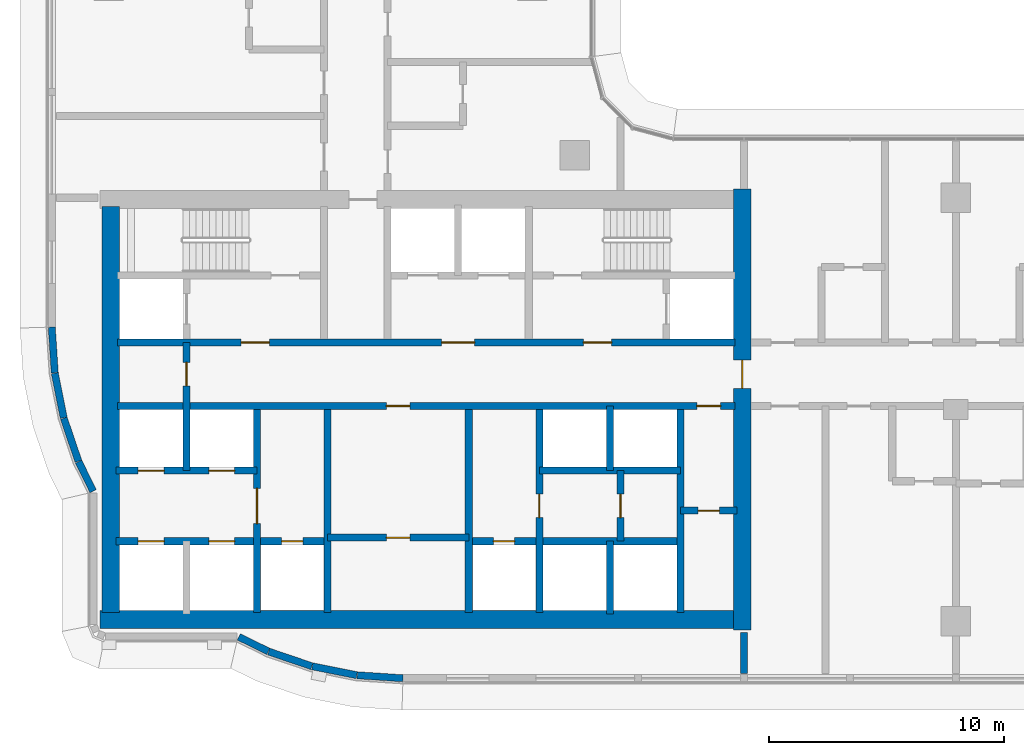
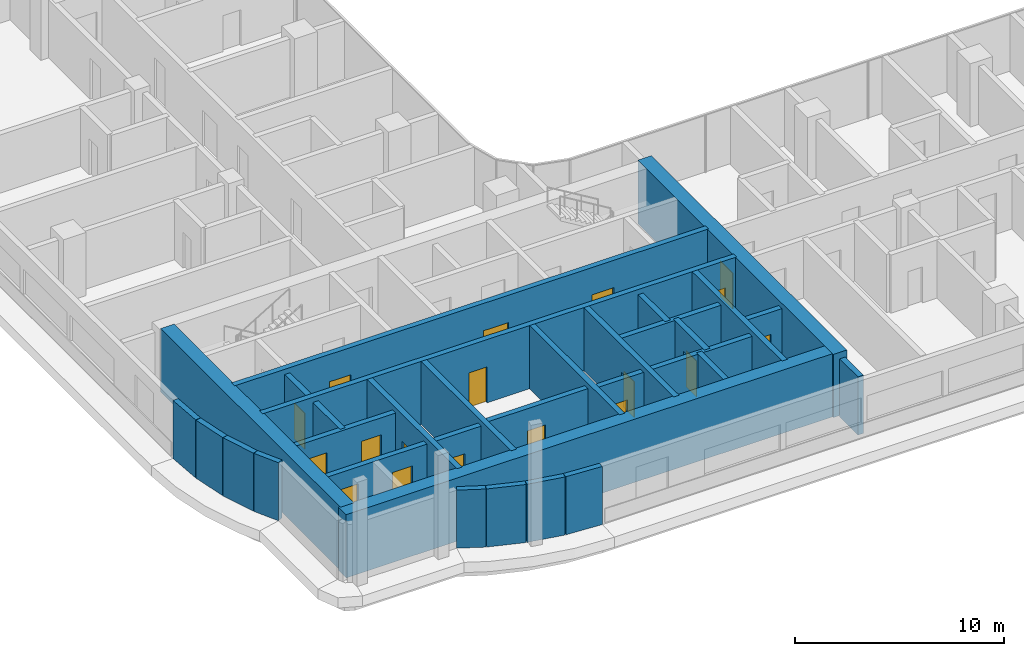
# One storey, part 10 of 25: 29 walls, 18 doors, 18 openings.
"""IFC4 building model written with IfcOpenShell, lengths in metres."""

from ifc_helpers import new_model, si_unit, direction, frame, frame_2d, origin, place, context, subcontext, project, spatial, rectangle, extrude, material, layer, layer_set, type_object, element, fill, save


model = new_model("IFC4")

# Units and contexts
model_context = context("Model", 3, precision=1e-05, world=origin(), true_north=direction((0.0, 1.0)))
body_context = subcontext(model_context, "Body", "Model", "MODEL_VIEW")
ifc_project = project(units=[si_unit("LENGTHUNIT", "METRE"), si_unit("AREAUNIT", "SQUARE_METRE"), si_unit("VOLUMEUNIT", "CUBIC_METRE"), si_unit("PLANEANGLEUNIT", "RADIAN"), si_unit("MASSUNIT", "GRAM", prefix="KILO")], contexts=[model_context])

# Site, building, storey
site_placement = place(None, origin())
site = spatial("IfcSite", under=ifc_project, at=site_placement, CompositionType="ELEMENT")
building_placement = place(site_placement, origin())
building = spatial("IfcBuilding", under=site, at=building_placement, Name="Ogive Portal Towers", CompositionType="ELEMENT")
storey_placement = place(building_placement, frame((0.0, 0.0, 116.699951171875)))
storey = spatial("IfcBuildingStorey", under=building, at=storey_placement, Name="L28", CompositionType="ELEMENT", Elevation=116.699951171875)

# Wall, opening, door
ifc_material_1 = material(Name="Concrete C60/75", Category="concrete")
ifc_layer_1 = layer(ifc_material_1, 0.300048828125)
ifc_layer_set_1 = layer_set([ifc_layer_1], Name="CORE WALL 300 C60")
wall_type_1 = type_object("IfcWallType", Name="CORE WALL 300 C60", PredefinedType="SHEAR", material=ifc_layer_set_1)
wall_1_placement = place(storey_placement, frame((37.800048828125, 21.875, 0.0), z_axis=(0.0, 0.0, 1.0), x_axis=(0.0, 1.0, 0.0)))
wall_1 = element("IfcWall", 1, at=wall_1_placement, inside=storey, type_object=wall_type_1, Name="Core wall X1 L28", PredefinedType="SHEAR", context=body_context, shape_type="SweptSolid", body=[
    extrude(rectangle(XDim=8.625, YDim=0.300048828125, at=frame_2d((4.3125, 0.0))), origin(), (0.0, 0.0, 1.0), 3.699951171875),
])
opening_1_placement = place(wall_1_placement, frame((3.77490234375, 0.0, 0.0)))
opening_1 = element("IfcOpeningElement", 2, at=opening_1_placement, cuts=wall_1, Name="Opening D10-001", PredefinedType="OPENING", context=body_context, shape_type="SweptSolid", body=[
    extrude(rectangle(XDim=1.5, YDim=2.10009765625, at=frame_2d((0.75, 1.050048828125))), frame((0.0, 0.16015625, 0.0), z_axis=(0.0, -1.0, 0.0), x_axis=(1.0, 0.0, 0.0)), (0.0, 0.0, 1.0), 0.320068359375),
])
ifc_material_2 = material(Name="Steel fire door", Category="steel")
door_type_1 = type_object("IfcDoorType", Name="DT-SWING-1500x2100-FD90S", OperationType="SINGLE_SWING_LEFT", PredefinedType="DOOR", material=ifc_material_2)
door_1_placement = place(opening_1_placement, origin())
door_1 = element("IfcDoor", 3, at=door_1_placement, inside=storey, type_object=door_type_1, Name="Door D10-001", OperationType="SINGLE_SWING_LEFT", OverallHeight=2.10009765625, OverallWidth=1.5, PredefinedType="DOOR", context=body_context, shape_type="SweptSolid", body=[
    extrude(rectangle(XDim=1.5, YDim=2.10009765625, at=frame_2d((0.75, 1.050048828125))), frame((0.0, 0.02490234375, 0.0), z_axis=(0.0, -1.0, 0.0), x_axis=(1.0, 0.0, 0.0)), (0.0, 0.0, 1.0), 0.050048828125),
])
fill(opening_1, door_1)

# Walls
for number, where, z_axis, x_axis, name in (
    (4, (40.800048828125, 21.875, 0.0), (0.0, 0.0, 1.0), (0.0, 1.0, 0.0), "Core wall X2 L28"),
    (5, (46.800048828125, 21.875, 0.0), (0.0, 0.0, 1.0), (0.0, 1.0, 0.0), "Core wall X3 L28"),
):
    element("IfcWall", number, at=place(storey_placement, frame(where, z_axis=z_axis, x_axis=x_axis)), inside=storey, type_object=wall_type_1, Name=name, PredefinedType="SHEAR", context=body_context, shape_type="SweptSolid", body=[
        extrude(rectangle(XDim=8.625, YDim=0.300048828125, at=frame_2d((4.3125, 0.0))), origin(), (0.0, 0.0, 1.0), 3.699951171875),
    ])

# Wall, opening, door
wall_2_placement = place(storey_placement, frame((49.800048828125, 21.875, 0.0), z_axis=(0.0, 0.0, 1.0), x_axis=(0.0, 1.0, 0.0)))
wall_2 = element("IfcWall", 6, at=wall_2_placement, inside=storey, type_object=wall_type_1, Name="Core wall X4 L28", PredefinedType="SHEAR", context=body_context, shape_type="SweptSolid", body=[
    extrude(rectangle(XDim=8.625, YDim=0.300048828125, at=frame_2d((4.3125, 0.0))), origin(), (0.0, 0.0, 1.0), 3.699951171875),
])
opening_2_placement = place(wall_2_placement, frame((4.02490234375, 0.0, 0.0)))
opening_2 = element("IfcOpeningElement", 7, at=opening_2_placement, cuts=wall_2, Name="Opening D10-023", PredefinedType="OPENING", context=body_context, shape_type="SweptSolid", body=[
    extrude(rectangle(XDim=1.0, YDim=2.10009765625, at=frame_2d((0.5, 1.050048828125))), frame((0.0, 0.16015625, 0.0), z_axis=(0.0, -1.0, 0.0), x_axis=(1.0, 0.0, 0.0)), (0.0, 0.0, 1.0), 0.320068359375),
])
door_type_2 = type_object("IfcDoorType", Name="DT-SWING-1000x2100-FD90S", OperationType="SINGLE_SWING_LEFT", PredefinedType="DOOR", material=ifc_material_2)
door_2_placement = place(opening_2_placement, origin())
door_2 = element("IfcDoor", 8, at=door_2_placement, inside=storey, type_object=door_type_2, Name="Door D10-023", OperationType="SINGLE_SWING_LEFT", OverallHeight=2.10009765625, OverallWidth=1.0, PredefinedType="DOOR", context=body_context, shape_type="SweptSolid", body=[
    extrude(rectangle(XDim=1.0, YDim=2.10009765625, at=frame_2d((0.5, 1.050048828125))), frame((0.0, 0.02490234375, 0.0), z_axis=(0.0, -1.0, 0.0), x_axis=(1.0, 0.0, 0.0)), (0.0, 0.0, 1.0), 0.050048828125),
])
fill(opening_2, door_2)

# Wall
wall_3_placement = place(storey_placement, frame((55.800048828125, 21.875, 0.0), z_axis=(0.0, 0.0, 1.0), x_axis=(0.0, 1.0, 0.0)))
element("IfcWall", 9, at=wall_3_placement, inside=storey, type_object=wall_type_1, Name="Core wall X5 L28", PredefinedType="SHEAR", context=body_context, shape_type="SweptSolid", body=[
    extrude(rectangle(XDim=8.625, YDim=0.300048828125, at=frame_2d((4.3125, 0.0))), origin(), (0.0, 0.0, 1.0), 3.699951171875),
])

# Wall, openings, doors
wall_4_placement = place(storey_placement, frame((31.875, 30.64990234375, 0.0), z_axis=(0.0, 0.0, 1.0), x_axis=(1.0, 0.0, 0.0)))
wall_4 = element("IfcWall", 10, at=wall_4_placement, inside=storey, type_object=wall_type_1, Name="Core wall Y1 L28", PredefinedType="SHEAR", context=body_context, shape_type="SweptSolid", body=[
    extrude(rectangle(XDim=26.25, YDim=0.300048828125, at=frame_2d((13.125, 0.0))), origin(), (0.0, 0.0, 1.0), 3.699951171875),
])
opening_3_placement = place(wall_4_placement, frame((24.625, 0.0, 0.0)))
opening_3 = element("IfcOpeningElement", 11, at=opening_3_placement, cuts=wall_4, Name="Opening D10-009", PredefinedType="OPENING", context=body_context, shape_type="SweptSolid", body=[
    extrude(rectangle(XDim=1.0, YDim=2.10009765625, at=frame_2d((0.5, 1.050048828125))), frame((0.0, 0.16015625, 0.0), z_axis=(0.0, -1.0, 0.0), x_axis=(1.0, 0.0, 0.0)), (0.0, 0.0, 1.0), 0.320068359375),
])
opening_4_placement = place(wall_4_placement, frame((11.425048828125, 0.0, 0.0)))
opening_4 = element("IfcOpeningElement", 12, at=opening_4_placement, cuts=wall_4, Name="Opening D10-021", PredefinedType="OPENING", context=body_context, shape_type="SweptSolid", body=[
    extrude(rectangle(XDim=1.0, YDim=2.10009765625, at=frame_2d((0.5, 1.050048828125))), frame((0.0, 0.16015625, 0.0), z_axis=(0.0, -1.0, 0.0), x_axis=(1.0, 0.0, 0.0)), (0.0, 0.0, 1.0), 0.320068359375),
])
door_3_placement = place(opening_3_placement, origin())
door_3 = element("IfcDoor", 13, at=door_3_placement, inside=storey, type_object=door_type_2, Name="Door D10-009", OperationType="SINGLE_SWING_LEFT", OverallHeight=2.10009765625, OverallWidth=1.0, PredefinedType="DOOR", context=body_context, shape_type="SweptSolid", body=[
    extrude(rectangle(XDim=1.0, YDim=2.10009765625, at=frame_2d((0.5, 1.050048828125))), frame((0.0, 0.02490234375, 0.0), z_axis=(0.0, -1.0, 0.0), x_axis=(1.0, 0.0, 0.0)), (0.0, 0.0, 1.0), 0.050048828125),
])
fill(opening_3, door_3)
door_4_placement = place(opening_4_placement, origin())
door_4 = element("IfcDoor", 14, at=door_4_placement, inside=storey, type_object=door_type_2, Name="Door D10-021", OperationType="SINGLE_SWING_LEFT", OverallHeight=2.10009765625, OverallWidth=1.0, PredefinedType="DOOR", context=body_context, shape_type="SweptSolid", body=[
    extrude(rectangle(XDim=1.0, YDim=2.10009765625, at=frame_2d((0.5, 1.050048828125))), frame((0.0, 0.02490234375, 0.0), z_axis=(0.0, -1.0, 0.0), x_axis=(1.0, 0.0, 0.0)), (0.0, 0.0, 1.0), 0.050048828125),
])
fill(opening_4, door_4)

wall_5_placement = place(storey_placement, frame((31.875, 33.35009765625, 0.0), z_axis=(0.0, 0.0, 1.0), x_axis=(1.0, 0.0, 0.0)))
wall_5 = element("IfcWall", 15, at=wall_5_placement, inside=storey, type_object=wall_type_1, Name="Core wall Y2 L28", PredefinedType="SHEAR", context=body_context, shape_type="SweptSolid", body=[
    extrude(rectangle(XDim=26.25, YDim=0.300048828125, at=frame_2d((13.125, 0.0))), origin(), (0.0, 0.0, 1.0), 3.699951171875),
])
opening_5_placement = place(wall_5_placement, frame((13.77490234375, 0.0, 0.0)))
opening_5 = element("IfcOpeningElement", 16, at=opening_5_placement, cuts=wall_5, Name="Opening D10-002", PredefinedType="OPENING", context=body_context, shape_type="SweptSolid", body=[
    extrude(rectangle(XDim=1.39990234375, YDim=2.10009765625, at=frame_2d((0.699951171875, 1.050048828125))), frame((0.0, 0.16015625, 0.0), z_axis=(0.0, -1.0, 0.0), x_axis=(1.0, 0.0, 0.0)), (0.0, 0.0, 1.0), 0.320068359375),
])
opening_6_placement = place(wall_5_placement, frame((5.25, 0.0, 0.0)))
opening_6 = element("IfcOpeningElement", 17, at=opening_6_placement, cuts=wall_5, Name="Opening D10-003", PredefinedType="OPENING", context=body_context, shape_type="SweptSolid", body=[
    extrude(rectangle(XDim=1.199951171875, YDim=2.10009765625, at=frame_2d((0.60009765625, 1.050048828125))), frame((0.0, 0.16015625, 0.0), z_axis=(0.0, -1.0, 0.0), x_axis=(1.0, 0.0, 0.0)), (0.0, 0.0, 1.0), 0.320068359375),
])
opening_7_placement = place(wall_5_placement, frame((19.800048828125, 0.0, 0.0)))
opening_7 = element("IfcOpeningElement", 18, at=opening_7_placement, cuts=wall_5, Name="Opening D10-004", PredefinedType="OPENING", context=body_context, shape_type="SweptSolid", body=[
    extrude(rectangle(XDim=1.199951171875, YDim=2.10009765625, at=frame_2d((0.60009765625, 1.050048828125))), frame((0.0, 0.16015625, 0.0), z_axis=(0.0, -1.0, 0.0), x_axis=(1.0, 0.0, 0.0)), (0.0, 0.0, 1.0), 0.320068359375),
])
door_type_3 = type_object("IfcDoorType", Name="DT-SWING-1200x2100-FD90S", OperationType="SINGLE_SWING_LEFT", PredefinedType="DOOR", material=ifc_material_2)
door_5_placement = place(opening_6_placement, origin())
door_5 = element("IfcDoor", 19, at=door_5_placement, inside=storey, type_object=door_type_3, Name="Door D10-003", OperationType="SINGLE_SWING_LEFT", OverallHeight=2.10009765625, OverallWidth=1.199951171875, PredefinedType="DOOR", context=body_context, shape_type="SweptSolid", body=[
    extrude(rectangle(XDim=1.199951171875, YDim=2.10009765625, at=frame_2d((0.60009765625, 1.050048828125))), frame((0.0, 0.02490234375, 0.0), z_axis=(0.0, -1.0, 0.0), x_axis=(1.0, 0.0, 0.0)), (0.0, 0.0, 1.0), 0.050048828125),
])
fill(opening_6, door_5)
door_6_placement = place(opening_7_placement, origin())
door_6 = element("IfcDoor", 20, at=door_6_placement, inside=storey, type_object=door_type_3, Name="Door D10-004", OperationType="SINGLE_SWING_RIGHT", OverallHeight=2.10009765625, OverallWidth=1.199951171875, PredefinedType="DOOR", context=body_context, shape_type="SweptSolid", body=[
    extrude(rectangle(XDim=1.199951171875, YDim=2.10009765625, at=frame_2d((0.60009765625, 1.050048828125))), frame((0.0, 0.02490234375, 0.0), z_axis=(0.0, -1.0, 0.0), x_axis=(1.0, 0.0, 0.0)), (0.0, 0.0, 1.0), 0.050048828125),
])
fill(opening_7, door_6)
door_type_4 = type_object("IfcDoorType", Name="DT-SWING-1400x2100-FD90S", OperationType="SINGLE_SWING_LEFT", PredefinedType="DOOR", material=ifc_material_2)
door_7_placement = place(opening_5_placement, origin())
door_7 = element("IfcDoor", 21, at=door_7_placement, inside=storey, type_object=door_type_4, Name="Door D10-002", OperationType="SINGLE_SWING_RIGHT", OverallHeight=2.10009765625, OverallWidth=1.39990234375, PredefinedType="DOOR", context=body_context, shape_type="SweptSolid", body=[
    extrude(rectangle(XDim=1.39990234375, YDim=2.10009765625, at=frame_2d((0.699951171875, 1.050048828125))), frame((0.0, 0.02490234375, 0.0), z_axis=(0.0, -1.0, 0.0), x_axis=(1.0, 0.0, 0.0)), (0.0, 0.0, 1.0), 0.050048828125),
])
fill(opening_5, door_7)

# Walls
ifc_layer_2 = layer(ifc_material_1, 0.75)
ifc_layer_set_2 = layer_set([ifc_layer_2], Name="CORE WALL 750 C60")
wall_type_2 = type_object("IfcWallType", Name="CORE WALL 750 C60", PredefinedType="SHEAR", material=ifc_layer_set_2)
wall_6_placement = place(storey_placement, frame((31.574951171875, 21.875, 0.0), z_axis=(0.0, 0.0, 1.0), x_axis=(0.0, 1.0, 0.0)))
element("IfcWall", 22, at=wall_6_placement, inside=storey, type_object=wall_type_2, Name="Core wall W L28", PredefinedType="SHEAR", context=body_context, shape_type="SweptSolid", body=[
    extrude(rectangle(XDim=17.25, YDim=0.75, at=frame_2d((8.625, 0.0))), origin(), (0.0, 0.0, 1.0), 3.699951171875),
])
wall_7_placement = place(storey_placement, frame((31.125, 21.574951171875, 0.0), z_axis=(0.0, 0.0, 1.0), x_axis=(1.0, 0.0, 0.0)))
element("IfcWall", 23, at=wall_7_placement, inside=storey, type_object=wall_type_2, Name="Core wall S L28", PredefinedType="SHEAR", context=body_context, shape_type="SweptSolid", body=[
    extrude(rectangle(XDim=27.0, YDim=0.75, at=frame_2d((13.5, 0.0))), origin(), (0.0, 0.0, 1.0), 3.699951171875),
])

# Wall, opening, door
wall_8_placement = place(storey_placement, frame((58.425048828125, 21.125, 0.0), z_axis=(0.0, 0.0, 1.0), x_axis=(0.0, 1.0, 0.0)))
wall_8 = element("IfcWall", 24, at=wall_8_placement, inside=storey, type_object=wall_type_2, Name="Core wall E L28", PredefinedType="SHEAR", context=body_context, shape_type="SweptSolid", body=[
    extrude(rectangle(XDim=18.75, YDim=0.75, at=frame_2d((9.375, 0.0))), origin(), (0.0, 0.0, 1.0), 3.699951171875),
])
opening_8_placement = place(wall_8_placement, frame((10.27490234375, 0.0, 0.0)))
opening_8 = element("IfcOpeningElement", 25, at=opening_8_placement, cuts=wall_8, Name="Opening D10-011", PredefinedType="OPENING", context=body_context, shape_type="SweptSolid", body=[
    extrude(rectangle(XDim=1.199951171875, YDim=2.10009765625, at=frame_2d((0.60009765625, 1.050048828125))), frame((0.0, 0.385009765625, 0.0), z_axis=(0.0, -1.0, 0.0), x_axis=(1.0, 0.0, 0.0)), (0.0, 0.0, 1.0), 0.77001953125),
])
door_8_placement = place(opening_8_placement, origin())
door_8 = element("IfcDoor", 26, at=door_8_placement, inside=storey, type_object=door_type_3, Name="Door D10-011", OperationType="SINGLE_SWING_LEFT", OverallHeight=2.10009765625, OverallWidth=1.199951171875, PredefinedType="DOOR", context=body_context, shape_type="SweptSolid", body=[
    extrude(rectangle(XDim=1.199951171875, YDim=2.10009765625, at=frame_2d((0.60009765625, 1.050048828125))), frame((0.0, 0.02490234375, 0.0), z_axis=(0.0, -1.0, 0.0), x_axis=(1.0, 0.0, 0.0)), (0.0, 0.0, 1.0), 0.050048828125),
])
fill(opening_8, door_8)

# Walls
ifc_material_3 = material(Name="Limestone cladding on lightweight block wall", Category="masonry")
ifc_layer_3 = layer(ifc_material_3, 0.300048828125)
ifc_layer_set_3 = layer_set([ifc_layer_3], Name="EXTERNAL WALL 300 STONE")
wall_type_3 = type_object("IfcWallType", Name="EXTERNAL WALL 300 STONE", PredefinedType="SOLIDWALL", material=ifc_layer_set_3)
wall_9_placement = place(storey_placement, frame((37.02490234375, 20.83447265625, 0.0), z_axis=(0.0, 0.0, 1.0), x_axis=(0.896925860522, -0.442180959254, 0.0)))
element("IfcWall", 27, at=wall_9_placement, inside=storey, type_object=wall_type_3, Name="A:L28:f04:r0:wall", PredefinedType="SOLIDWALL", context=body_context, shape_type="SweptSolid", body=[
    extrude(rectangle(XDim=1.399169921875, YDim=0.300048828125, at=frame_2d((0.69970703125, 0.0))), origin(), (0.0, 0.0, 1.0), 3.400146484375),
])
wall_10_placement = place(storey_placement, frame((38.2978515625, 20.208251953125, 0.0), z_axis=(0.0, 0.0, 1.0), x_axis=(0.946912791905, -0.321490535672, 0.0)))
element("IfcWall", 28, at=wall_10_placement, inside=storey, type_object=wall_type_3, Name="A:L28:f05:r0:wall", PredefinedType="SOLIDWALL", context=body_context, shape_type="SweptSolid", body=[
    extrude(rectangle(XDim=1.9326171875, YDim=0.300048828125, at=frame_2d((0.96630859375, 0.0))), origin(), (0.0, 0.0, 1.0), 3.400146484375),
])
wall_11_placement = place(storey_placement, frame((40.14697265625, 19.58203125, 0.0), z_axis=(0.0, 0.0, 1.0), x_axis=(0.980764889473, -0.195192806162, 0.0)))
element("IfcWall", 29, at=wall_11_placement, inside=storey, type_object=wall_type_3, Name="A:L28:f06:r0:wall", PredefinedType="SOLIDWALL", context=body_context, shape_type="SweptSolid", body=[
    extrude(rectangle(XDim=1.932373046875, YDim=0.300048828125, at=frame_2d((0.96630859375, 0.0))), origin(), (0.0, 0.0, 1.0), 3.400146484375),
])
for number, where, z_axis, x_axis, name in (
    (30, (42.061767578125, 19.202392578125, 0.0), (0.0, 0.0, 1.0), (0.997861789646, -0.065359381612, 0.0), "A:L28:f07:r0:wall"),
    (31, (29.075439453125, 34.0, 0.0), (0.0, 0.0, 1.0), (0.065359381612, -0.997861789646, 0.0), "A:L28:f28:r0:wall"),
):
    element("IfcWall", number, at=place(storey_placement, frame(where, z_axis=z_axis, x_axis=x_axis)), inside=storey, type_object=wall_type_3, Name=name, PredefinedType="SOLIDWALL", context=body_context, shape_type="SweptSolid", body=[
        extrude(rectangle(XDim=1.9423828125, YDim=0.300048828125, at=frame_2d((0.97119140625, 0.0))), origin(), (0.0, 0.0, 1.0), 3.400146484375),
    ])
wall_12_placement = place(storey_placement, frame((29.204833984375, 32.042236328125, 0.0), z_axis=(0.0, 0.0, 1.0), x_axis=(0.195192806162, -0.980764889473, 0.0)))
element("IfcWall", 32, at=wall_12_placement, inside=storey, type_object=wall_type_3, Name="A:L28:f29:r0:wall", PredefinedType="SOLIDWALL", context=body_context, shape_type="SweptSolid", body=[
    extrude(rectangle(XDim=1.932373046875, YDim=0.300048828125, at=frame_2d((0.96630859375, 0.0))), origin(), (0.0, 0.0, 1.0), 3.400146484375),
])
wall_13_placement = place(storey_placement, frame((29.5869140625, 30.1279296875, 0.0), z_axis=(0.0, 0.0, 1.0), x_axis=(0.321490535672, -0.946912791905, 0.0)))
element("IfcWall", 33, at=wall_13_placement, inside=storey, type_object=wall_type_3, Name="A:L28:f30:r0:wall", PredefinedType="SOLIDWALL", context=body_context, shape_type="SweptSolid", body=[
    extrude(rectangle(XDim=1.9326171875, YDim=0.300048828125, at=frame_2d((0.96630859375, 0.0))), origin(), (0.0, 0.0, 1.0), 3.400146484375),
])
wall_14_placement = place(storey_placement, frame((30.2158203125, 28.27978515625, 0.0), z_axis=(0.0, 0.0, 1.0), x_axis=(0.442180959254, -0.896925860522, 0.0)))
element("IfcWall", 34, at=wall_14_placement, inside=storey, type_object=wall_type_3, Name="A:L28:f31:r0:wall", PredefinedType="SOLIDWALL", context=body_context, shape_type="SweptSolid", body=[
    extrude(rectangle(XDim=1.399169921875, YDim=0.300048828125, at=frame_2d((0.69970703125, 0.0))), origin(), (0.0, 0.0, 1.0), 3.400146484375),
])

# Wall, opening, door
ifc_material_4 = material(Name="Gypsum board partition on steel studs", Category="steel")
ifc_layer_4 = layer(ifc_material_4, 0.300048828125)
ifc_layer_set_4 = layer_set([ifc_layer_4], Name="WT-PART-300")
wall_type_4 = type_object("IfcWallType", Name="WT-PART-300", PredefinedType="PARTITIONING", material=ifc_layer_set_4)
wall_15_placement = place(storey_placement, frame((40.800048828125, 25.050048828125, 0.0), z_axis=(0.0, 0.0, 1.0), x_axis=(1.0, 0.0, 0.0)))
wall_15 = element("IfcWall", 35, at=wall_15_placement, inside=storey, type_object=wall_type_4, Name="Wall pw:003:L28", PredefinedType="PARTITIONING", context=body_context, shape_type="SweptSolid", body=[
    extrude(rectangle(XDim=6.0, YDim=0.300048828125, at=frame_2d((3.0, 0.0))), origin(), (0.0, 0.0, 1.0), 3.400146484375),
])
opening_9_placement = place(wall_15_placement, frame((2.5, 0.0, 0.0)))
opening_9 = element("IfcOpeningElement", 36, at=opening_9_placement, cuts=wall_15, Name="Opening D10-022", PredefinedType="OPENING", context=body_context, shape_type="SweptSolid", body=[
    extrude(rectangle(XDim=1.0, YDim=2.10009765625, at=frame_2d((0.5, 1.050048828125))), frame((0.0, 0.16015625, 0.0), z_axis=(0.0, -1.0, 0.0), x_axis=(1.0, 0.0, 0.0)), (0.0, 0.0, 1.0), 0.320068359375),
])
door_type_5 = type_object("IfcDoorType", Name="DT-SWING-1000x2100-FD60S", OperationType="SINGLE_SWING_LEFT", PredefinedType="DOOR", material=ifc_material_2)
door_9_placement = place(opening_9_placement, origin())
door_9 = element("IfcDoor", 37, at=door_9_placement, inside=storey, type_object=door_type_5, Name="Door D10-022", OperationType="SINGLE_SWING_RIGHT", OverallHeight=2.10009765625, OverallWidth=1.0, PredefinedType="DOOR", context=body_context, shape_type="SweptSolid", body=[
    extrude(rectangle(XDim=1.0, YDim=2.10009765625, at=frame_2d((0.5, 1.050048828125))), frame((0.0, 0.02490234375, 0.0), z_axis=(0.0, -1.0, 0.0), x_axis=(1.0, 0.0, 0.0)), (0.0, 0.0, 1.0), 0.050048828125),
])
fill(opening_9, door_9)

wall_16_placement = place(storey_placement, frame((55.800048828125, 26.199951171875, 0.0), z_axis=(0.0, 0.0, 1.0), x_axis=(1.0, 0.0, 0.0)))
wall_16 = element("IfcWall", 38, at=wall_16_placement, inside=storey, type_object=wall_type_4, Name="Wall pw:004:L28", PredefinedType="PARTITIONING", context=body_context, shape_type="SweptSolid", body=[
    extrude(rectangle(XDim=2.39990234375, YDim=0.300048828125, at=frame_2d((1.199951171875, 0.0))), origin(), (0.0, 0.0, 1.0), 3.400146484375),
])
opening_10_placement = place(wall_16_placement, frame((0.75, 0.0, 0.0)))
opening_10 = element("IfcOpeningElement", 39, at=opening_10_placement, cuts=wall_16, Name="Opening D10-010", PredefinedType="OPENING", context=body_context, shape_type="SweptSolid", body=[
    extrude(rectangle(XDim=0.89990234375, YDim=2.10009765625, at=frame_2d((0.449951171875, 1.050048828125))), frame((0.0, 0.16015625, 0.0), z_axis=(0.0, -1.0, 0.0), x_axis=(1.0, 0.0, 0.0)), (0.0, 0.0, 1.0), 0.320068359375),
])
door_type_6 = type_object("IfcDoorType", Name="DT-SWING-900x2100-FD60S", OperationType="SINGLE_SWING_LEFT", PredefinedType="DOOR", material=ifc_material_2)
door_10_placement = place(opening_10_placement, origin())
door_10 = element("IfcDoor", 40, at=door_10_placement, inside=storey, type_object=door_type_6, Name="Door D10-010", OperationType="SINGLE_SWING_RIGHT", OverallHeight=2.10009765625, OverallWidth=0.89990234375, PredefinedType="DOOR", context=body_context, shape_type="SweptSolid", body=[
    extrude(rectangle(XDim=0.89990234375, YDim=2.10009765625, at=frame_2d((0.449951171875, 1.050048828125))), frame((0.0, 0.02490234375, 0.0), z_axis=(0.0, -1.0, 0.0), x_axis=(1.0, 0.0, 0.0)), (0.0, 0.0, 1.0), 0.050048828125),
])
fill(opening_10, door_10)

# Wall
ifc_layer_5 = layer(ifc_material_4, 0.300048828125)
ifc_layer_set_5 = layer_set([ifc_layer_5], Name="WT-PART-300-EI 60")
wall_type_5 = type_object("IfcWallType", Name="WT-PART-300-EI 60", PredefinedType="PARTITIONING", material=ifc_layer_set_5)
wall_17_placement = place(storey_placement, frame((58.5, 19.27490234375, 0.0), z_axis=(0.0, 0.0, 1.0), x_axis=(0.0, 1.0, 0.0)))
element("IfcWall", 41, at=wall_17_placement, inside=storey, type_object=wall_type_5, Name="Wall L28:w046", PredefinedType="PARTITIONING", context=body_context, shape_type="SweptSolid", body=[
    extrude(rectangle(XDim=1.755126953125, YDim=0.300048828125, at=frame_2d((0.87744140625, 0.0))), origin(), (0.0, 0.0, 1.0), 3.400146484375),
])

# Wall, openings, doors
ifc_material_5 = material(Name="Concrete C40/50", Category="concrete")
ifc_layer_6 = layer(ifc_material_5, 0.300048828125)
ifc_layer_set_6 = layer_set([ifc_layer_6], Name="WT-SHAFT-300")
wall_type_6 = type_object("IfcWallType", Name="WT-SHAFT-300", PredefinedType="SOLIDWALL", material=ifc_layer_set_6)
wall_18_placement = place(storey_placement, frame((31.800048828125, 24.89990234375, 0.0), z_axis=(0.0, 0.0, 1.0), x_axis=(1.0, 0.0, 0.0)))
wall_18 = element("IfcWall", 42, at=wall_18_placement, inside=storey, type_object=wall_type_6, Name="Wall pw:001:L28", PredefinedType="SOLIDWALL", context=body_context, shape_type="SweptSolid", body=[
    extrude(rectangle(XDim=9.0, YDim=0.300048828125, at=frame_2d((4.5, 0.0))), origin(), (0.0, 0.0, 1.0), 3.400146484375),
])
opening_11_placement = place(wall_18_placement, frame((7.050048828125, 0.0, 0.0)))
opening_11 = element("IfcOpeningElement", 43, at=opening_11_placement, cuts=wall_18, Name="Opening D10-007", PredefinedType="OPENING", context=body_context, shape_type="SweptSolid", body=[
    extrude(rectangle(XDim=0.89990234375, YDim=2.10009765625, at=frame_2d((0.449951171875, 1.050048828125))), frame((0.0, 0.16015625, 0.0), z_axis=(0.0, -1.0, 0.0), x_axis=(1.0, 0.0, 0.0)), (0.0, 0.0, 1.0), 0.320068359375),
])
opening_12_placement = place(wall_18_placement, frame((0.949951171875, 0.0, 0.0)))
opening_12 = element("IfcOpeningElement", 44, at=opening_12_placement, cuts=wall_18, Name="Opening D10-013", PredefinedType="OPENING", context=body_context, shape_type="SweptSolid", body=[
    extrude(rectangle(XDim=1.10009765625, YDim=2.39990234375, at=frame_2d((0.550048828125, 1.199951171875))), frame((0.0, 0.16015625, 0.0), z_axis=(0.0, -1.0, 0.0), x_axis=(1.0, 0.0, 0.0)), (0.0, 0.0, 1.0), 0.320068359375),
])
opening_13_placement = place(wall_18_placement, frame((3.949951171875, 0.0, 0.0)))
opening_13 = element("IfcOpeningElement", 45, at=opening_13_placement, cuts=wall_18, Name="Opening D10-014", PredefinedType="OPENING", context=body_context, shape_type="SweptSolid", body=[
    extrude(rectangle(XDim=1.10009765625, YDim=2.39990234375, at=frame_2d((0.550048828125, 1.199951171875))), frame((0.0, 0.16015625, 0.0), z_axis=(0.0, -1.0, 0.0), x_axis=(1.0, 0.0, 0.0)), (0.0, 0.0, 1.0), 0.320068359375),
])
ifc_material_6 = material(Name="Stainless steel", Category="steel")
door_type_7 = type_object("IfcDoorType", Name="DT-LD-1100x2400", OperationType="SLIDING_TO_LEFT", PredefinedType="DOOR", material=ifc_material_6)
door_11_placement = place(opening_12_placement, origin())
door_11 = element("IfcDoor", 46, at=door_11_placement, inside=storey, type_object=door_type_7, Name="Door D10-013", OperationType="SLIDING_TO_LEFT", OverallHeight=2.39990234375, OverallWidth=1.10009765625, PredefinedType="DOOR", context=body_context, shape_type="SweptSolid", body=[
    extrude(rectangle(XDim=1.10009765625, YDim=2.39990234375, at=frame_2d((0.550048828125, 1.199951171875))), frame((0.0, 0.02490234375, 0.0), z_axis=(0.0, -1.0, 0.0), x_axis=(1.0, 0.0, 0.0)), (0.0, 0.0, 1.0), 0.050048828125),
])
fill(opening_12, door_11)
door_12_placement = place(opening_13_placement, origin())
door_12 = element("IfcDoor", 47, at=door_12_placement, inside=storey, type_object=door_type_7, Name="Door D10-014", OperationType="SLIDING_TO_LEFT", OverallHeight=2.39990234375, OverallWidth=1.10009765625, PredefinedType="DOOR", context=body_context, shape_type="SweptSolid", body=[
    extrude(rectangle(XDim=1.10009765625, YDim=2.39990234375, at=frame_2d((0.550048828125, 1.199951171875))), frame((0.0, 0.02490234375, 0.0), z_axis=(0.0, -1.0, 0.0), x_axis=(1.0, 0.0, 0.0)), (0.0, 0.0, 1.0), 0.050048828125),
])
fill(opening_13, door_12)
door_type_8 = type_object("IfcDoorType", Name="DT-SWING-900x2100-FD90S", OperationType="SINGLE_SWING_LEFT", PredefinedType="DOOR", material=ifc_material_2)
door_13_placement = place(opening_11_placement, origin())
door_13 = element("IfcDoor", 48, at=door_13_placement, inside=storey, type_object=door_type_8, Name="Riser access door D10-007", OperationType="SINGLE_SWING_LEFT", OverallHeight=2.10009765625, OverallWidth=0.89990234375, PredefinedType="DOOR", context=body_context, shape_type="SweptSolid", body=[
    extrude(rectangle(XDim=0.89990234375, YDim=2.10009765625, at=frame_2d((0.449951171875, 1.050048828125))), frame((0.0, 0.02490234375, 0.0), z_axis=(0.0, -1.0, 0.0), x_axis=(1.0, 0.0, 0.0)), (0.0, 0.0, 1.0), 0.050048828125),
])
fill(opening_11, door_13)

# Wall, opening, door
wall_19_placement = place(storey_placement, frame((46.800048828125, 24.89990234375, 0.0), z_axis=(0.0, 0.0, 1.0), x_axis=(1.0, 0.0, 0.0)))
wall_19 = element("IfcWall", 49, at=wall_19_placement, inside=storey, type_object=wall_type_6, Name="Wall pw:002:L28", PredefinedType="SOLIDWALL", context=body_context, shape_type="SweptSolid", body=[
    extrude(rectangle(XDim=9.0, YDim=0.300048828125, at=frame_2d((4.5, 0.0))), origin(), (0.0, 0.0, 1.0), 3.400146484375),
])
opening_14_placement = place(wall_19_placement, frame((1.050048828125, 0.0, 0.0)))
opening_14 = element("IfcOpeningElement", 50, at=opening_14_placement, cuts=wall_19, Name="Opening D10-008", PredefinedType="OPENING", context=body_context, shape_type="SweptSolid", body=[
    extrude(rectangle(XDim=0.89990234375, YDim=2.10009765625, at=frame_2d((0.449951171875, 1.050048828125))), frame((0.0, 0.16015625, 0.0), z_axis=(0.0, -1.0, 0.0), x_axis=(1.0, 0.0, 0.0)), (0.0, 0.0, 1.0), 0.320068359375),
])
door_14_placement = place(opening_14_placement, origin())
door_14 = element("IfcDoor", 51, at=door_14_placement, inside=storey, type_object=door_type_8, Name="Riser access door D10-008", OperationType="SINGLE_SWING_RIGHT", OverallHeight=2.10009765625, OverallWidth=0.89990234375, PredefinedType="DOOR", context=body_context, shape_type="SweptSolid", body=[
    extrude(rectangle(XDim=0.89990234375, YDim=2.10009765625, at=frame_2d((0.449951171875, 1.050048828125))), frame((0.0, 0.02490234375, 0.0), z_axis=(0.0, -1.0, 0.0), x_axis=(1.0, 0.0, 0.0)), (0.0, 0.0, 1.0), 0.050048828125),
])
fill(opening_14, door_14)

# Wall, openings, doors
wall_20_placement = place(storey_placement, frame((31.800048828125, 27.89990234375, 0.0), z_axis=(0.0, 0.0, 1.0), x_axis=(1.0, 0.0, 0.0)))
wall_20 = element("IfcWall", 52, at=wall_20_placement, inside=storey, type_object=wall_type_6, Name="Wall pw:005:L28", PredefinedType="SOLIDWALL", context=body_context, shape_type="SweptSolid", body=[
    extrude(rectangle(XDim=6.0, YDim=0.300048828125, at=frame_2d((3.0, 0.0))), origin(), (0.0, 0.0, 1.0), 3.400146484375),
])
opening_15_placement = place(wall_20_placement, frame((0.949951171875, 0.0, 0.0)))
opening_15 = element("IfcOpeningElement", 53, at=opening_15_placement, cuts=wall_20, Name="Opening D10-015", PredefinedType="OPENING", context=body_context, shape_type="SweptSolid", body=[
    extrude(rectangle(XDim=1.10009765625, YDim=2.39990234375, at=frame_2d((0.550048828125, 1.199951171875))), frame((0.0, 0.16015625, 0.0), z_axis=(0.0, -1.0, 0.0), x_axis=(1.0, 0.0, 0.0)), (0.0, 0.0, 1.0), 0.320068359375),
])
opening_16_placement = place(wall_20_placement, frame((3.949951171875, 0.0, 0.0)))
opening_16 = element("IfcOpeningElement", 54, at=opening_16_placement, cuts=wall_20, Name="Opening D10-016", PredefinedType="OPENING", context=body_context, shape_type="SweptSolid", body=[
    extrude(rectangle(XDim=1.10009765625, YDim=2.39990234375, at=frame_2d((0.550048828125, 1.199951171875))), frame((0.0, 0.16015625, 0.0), z_axis=(0.0, -1.0, 0.0), x_axis=(1.0, 0.0, 0.0)), (0.0, 0.0, 1.0), 0.320068359375),
])
door_15_placement = place(opening_15_placement, origin())
door_15 = element("IfcDoor", 55, at=door_15_placement, inside=storey, type_object=door_type_7, Name="Door D10-015", OperationType="SLIDING_TO_LEFT", OverallHeight=2.39990234375, OverallWidth=1.10009765625, PredefinedType="DOOR", context=body_context, shape_type="SweptSolid", body=[
    extrude(rectangle(XDim=1.10009765625, YDim=2.39990234375, at=frame_2d((0.550048828125, 1.199951171875))), frame((0.0, 0.02490234375, 0.0), z_axis=(0.0, -1.0, 0.0), x_axis=(1.0, 0.0, 0.0)), (0.0, 0.0, 1.0), 0.050048828125),
])
fill(opening_15, door_15)
door_16_placement = place(opening_16_placement, origin())
door_16 = element("IfcDoor", 56, at=door_16_placement, inside=storey, type_object=door_type_7, Name="Door D10-016", OperationType="SLIDING_TO_LEFT", OverallHeight=2.39990234375, OverallWidth=1.10009765625, PredefinedType="DOOR", context=body_context, shape_type="SweptSolid", body=[
    extrude(rectangle(XDim=1.10009765625, YDim=2.39990234375, at=frame_2d((0.550048828125, 1.199951171875))), frame((0.0, 0.02490234375, 0.0), z_axis=(0.0, -1.0, 0.0), x_axis=(1.0, 0.0, 0.0)), (0.0, 0.0, 1.0), 0.050048828125),
])
fill(opening_16, door_16)

# Wall
wall_21_placement = place(storey_placement, frame((49.800048828125, 27.89990234375, 0.0), z_axis=(0.0, 0.0, 1.0), x_axis=(1.0, 0.0, 0.0)))
element("IfcWall", 57, at=wall_21_placement, inside=storey, type_object=wall_type_6, Name="Wall pw:006:L28", PredefinedType="SOLIDWALL", context=body_context, shape_type="SweptSolid", body=[
    extrude(rectangle(XDim=6.0, YDim=0.300048828125, at=frame_2d((3.0, 0.0))), origin(), (0.0, 0.0, 1.0), 3.400146484375),
])

# Wall, opening, door
wall_22_placement = place(storey_placement, frame((34.800048828125, 27.89990234375, 0.0), z_axis=(0.0, 0.0, 1.0), x_axis=(0.0, 1.0, 0.0)))
wall_22 = element("IfcWall", 58, at=wall_22_placement, inside=storey, type_object=wall_type_6, Name="Wall pw:008:L28", PredefinedType="SOLIDWALL", context=body_context, shape_type="SweptSolid", body=[
    extrude(rectangle(XDim=5.4501953125, YDim=0.300048828125, at=frame_2d((2.72509765625, 0.0))), origin(), (0.0, 0.0, 1.0), 3.400146484375),
])
opening_17_placement = place(wall_22_placement, frame((3.60009765625, 0.0, 0.0)))
opening_17 = element("IfcOpeningElement", 59, at=opening_17_placement, cuts=wall_22, Name="Opening D10-025", PredefinedType="OPENING", context=body_context, shape_type="SweptSolid", body=[
    extrude(rectangle(XDim=1.0, YDim=2.10009765625, at=frame_2d((0.5, 1.050048828125))), frame((0.0, 0.16015625, 0.0), z_axis=(0.0, -1.0, 0.0), x_axis=(1.0, 0.0, 0.0)), (0.0, 0.0, 1.0), 0.320068359375),
])
door_17_placement = place(opening_17_placement, origin())
door_17 = element("IfcDoor", 60, at=door_17_placement, inside=storey, type_object=door_type_2, Name="Door D10-025", OperationType="SINGLE_SWING_LEFT", OverallHeight=2.10009765625, OverallWidth=1.0, PredefinedType="DOOR", context=body_context, shape_type="SweptSolid", body=[
    extrude(rectangle(XDim=1.0, YDim=2.10009765625, at=frame_2d((0.5, 1.050048828125))), frame((0.0, 0.02490234375, 0.0), z_axis=(0.0, -1.0, 0.0), x_axis=(1.0, 0.0, 0.0)), (0.0, 0.0, 1.0), 0.050048828125),
])
fill(opening_17, door_17)

# Walls
wall_23_placement = place(storey_placement, frame((52.800048828125, 21.800048828125, 0.0), z_axis=(0.0, 0.0, 1.0), x_axis=(0.0, 1.0, 0.0)))
element("IfcWall", 61, at=wall_23_placement, inside=storey, type_object=wall_type_6, Name="Wall pw:010:L28", PredefinedType="SOLIDWALL", context=body_context, shape_type="SweptSolid", body=[
    extrude(rectangle(XDim=3.099853515625, YDim=0.300048828125, at=frame_2d((1.5498046875, 0.0))), origin(), (0.0, 0.0, 1.0), 3.400146484375),
])
wall_24_placement = place(storey_placement, frame((52.800048828125, 27.89990234375, 0.0), z_axis=(0.0, 0.0, 1.0), x_axis=(0.0, 1.0, 0.0)))
element("IfcWall", 62, at=wall_24_placement, inside=storey, type_object=wall_type_6, Name="Wall pw:011:L28", PredefinedType="SOLIDWALL", context=body_context, shape_type="SweptSolid", body=[
    extrude(rectangle(XDim=2.75, YDim=0.300048828125, at=frame_2d((1.375, 0.0))), origin(), (0.0, 0.0, 1.0), 3.400146484375),
])

# Wall, opening, door
wall_25_placement = place(storey_placement, frame((53.25, 24.89990234375, 0.0), z_axis=(0.0, 0.0, 1.0), x_axis=(0.0, 1.0, 0.0)))
wall_25 = element("IfcWall", 63, at=wall_25_placement, inside=storey, type_object=wall_type_6, Name="Wall pw:012:L28", PredefinedType="SOLIDWALL", context=body_context, shape_type="SweptSolid", body=[
    extrude(rectangle(XDim=3.0, YDim=0.300048828125, at=frame_2d((1.5, 0.0))), origin(), (0.0, 0.0, 1.0), 3.400146484375),
])
opening_18_placement = place(wall_25_placement, frame((1.0, 0.0, 0.0)))
opening_18 = element("IfcOpeningElement", 64, at=opening_18_placement, cuts=wall_25, Name="Opening D10-024", PredefinedType="OPENING", context=body_context, shape_type="SweptSolid", body=[
    extrude(rectangle(XDim=1.0, YDim=2.10009765625, at=frame_2d((0.5, 1.050048828125))), frame((0.0, 0.16015625, 0.0), z_axis=(0.0, -1.0, 0.0), x_axis=(1.0, 0.0, 0.0)), (0.0, 0.0, 1.0), 0.320068359375),
])
door_18_placement = place(opening_18_placement, origin())
door_18 = element("IfcDoor", 65, at=door_18_placement, inside=storey, type_object=door_type_2, Name="Door D10-024", OperationType="SINGLE_SWING_RIGHT", OverallHeight=2.10009765625, OverallWidth=1.0, PredefinedType="DOOR", context=body_context, shape_type="SweptSolid", body=[
    extrude(rectangle(XDim=1.0, YDim=2.10009765625, at=frame_2d((0.5, 1.050048828125))), frame((0.0, 0.02490234375, 0.0), z_axis=(0.0, -1.0, 0.0), x_axis=(1.0, 0.0, 0.0)), (0.0, 0.0, 1.0), 0.050048828125),
])
fill(opening_18, door_18)

save(model, "model.ifc")
